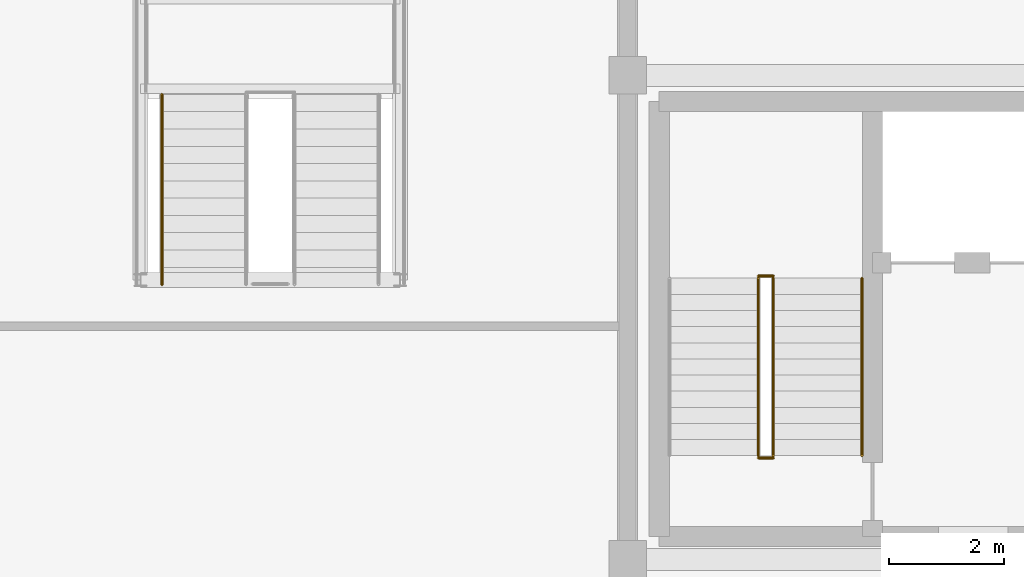
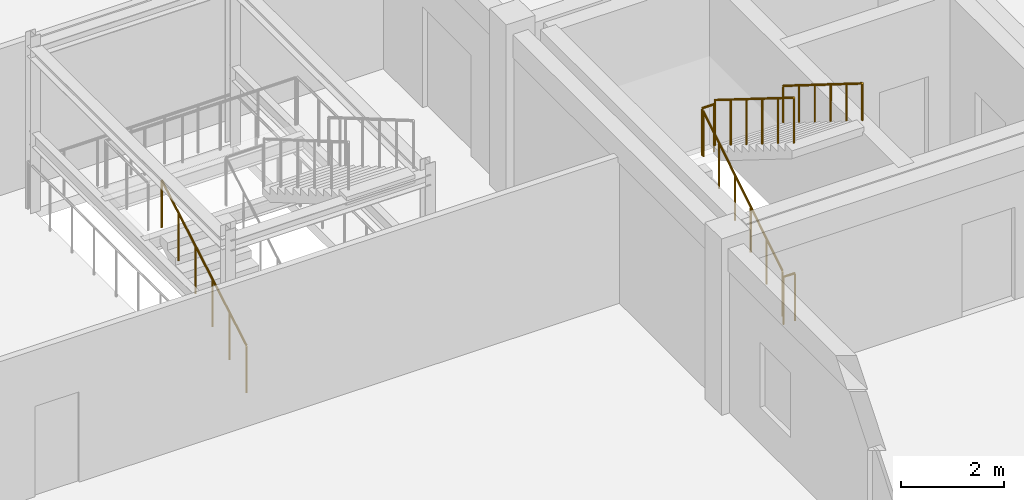
# One storey, part 81 of 90: 6 railings.
"""IFC4 building model written with IfcOpenShell, lengths in metres."""

from ifc_helpers import new_model, si_unit, direction, frame, origin, origin_2d, place, context, subcontext, project, spatial, circle, extrude, material, type_object, element, save


model = new_model("IFC4")

# Units and contexts
model_context = context("Model", 3, precision=1e-05, world=origin(), true_north=direction((0.0, 1.0)))
body_context = subcontext(model_context, "Body", "Model", "MODEL_VIEW")
ifc_project = project(units=[si_unit("LENGTHUNIT", "METRE"), si_unit("AREAUNIT", "SQUARE_METRE"), si_unit("VOLUMEUNIT", "CUBIC_METRE"), si_unit("PLANEANGLEUNIT", "RADIAN"), si_unit("MASSUNIT", "GRAM", prefix="KILO")], contexts=[model_context])

# Site, building, storey
site_placement = place(None, origin())
site = spatial("IfcSite", under=ifc_project, at=site_placement, CompositionType="ELEMENT")
building_placement = place(site_placement, origin())
building = spatial("IfcBuilding", under=site, at=building_placement, Name="Trelvath General Hospital", CompositionType="ELEMENT")
storey_placement = place(building_placement, frame((0.0, 0.0, 20.39990234375)))
storey = spatial("IfcBuildingStorey", under=building, at=storey_placement, Name="L05", CompositionType="ELEMENT", Elevation=20.39990234375)

# Railings
ifc_material_1 = material(Name="Architectural painted steel", Category="steel")
railing_type_1 = type_object("IfcRailingType", Name="Guardrail Terrace1150", PredefinedType="GUARDRAIL", material=ifc_material_1)
railing_1_placement = place(storey_placement, frame((77.8701171875, 52.159912109375, 0.0)))
element("IfcRailing", 1, at=railing_1_placement, inside=storey, type_object=railing_type_1, Name="Stair Well Edge Guard C6 L05 222", PredefinedType="GUARDRAIL", context=body_context, shape_type="SweptSolid", body=[
    extrude(circle(Radius=0.02392578125, at=origin_2d()), frame((0.0, 0.0, 1.1259765625), z_axis=(1.0, 0.0, 0.0), x_axis=(0.0, 1.0, 0.0)), (0.0, 0.0, 1.0), 0.259765625),
    extrude(circle(Radius=0.02099609375, at=origin_2d()), origin(), (0.0, 0.0, 1.0), 1.099853515625),
    extrude(circle(Radius=0.02099609375, at=origin_2d()), frame((0.259765625, 0.0, 0.0)), (0.0, 0.0, 1.0), 1.099853515625),
])
railing_2_placement = place(storey_placement, frame((78.1298828125, 55.280029296875, 2.275146484375)))
element("IfcRailing", 2, at=railing_2_placement, inside=storey, type_object=railing_type_1, Name="Stair Rail ST6 L05 F2 L 224", PredefinedType="GUARDRAIL", context=body_context, shape_type="SweptSolid", body=[
    extrude(circle(Radius=0.02392578125, at=origin_2d()), frame((0.0, 0.0, 1.076171875), z_axis=(0.0, -0.847998304005, 0.529998940003), x_axis=(1.0, 0.0, 0.0)), (0.0, 0.0, 1.0), 3.632080078125),
    extrude(circle(Radius=0.02099609375, at=origin_2d()), origin(), (0.0, 0.0, 1.0), 1.050048828125),
    extrude(circle(Radius=0.02099609375, at=origin_2d()), frame((0.0, -0.615966796875, 0.385009765625)), (0.0, 0.0, 1.0), 1.050048828125),
    extrude(circle(Radius=0.02099609375, at=origin_2d()), frame((0.0, -1.23193359375, 0.77001953125)), (0.0, 0.0, 1.0), 1.050048828125),
    extrude(circle(Radius=0.02099609375, at=origin_2d()), frame((0.0, -1.84814453125, 1.155029296875)), (0.0, 0.0, 1.0), 1.050048828125),
    extrude(circle(Radius=0.02099609375, at=origin_2d()), frame((0.0, -2.464111328125, 1.5400390625)), (0.0, 0.0, 1.0), 1.050048828125),
    extrude(circle(Radius=0.02099609375, at=origin_2d()), frame((0.0, -3.080078125, 1.925048828125)), (0.0, 0.0, 1.0), 1.050048828125),
])
railing_3_placement = place(storey_placement, frame((77.8701171875, 52.199951171875, 0.175048828125)))
element("IfcRailing", 3, at=railing_3_placement, inside=storey, type_object=railing_type_1, Name="Stair Rail ST6 L05 F1 R 225", PredefinedType="GUARDRAIL", context=body_context, shape_type="SweptSolid", body=[
    extrude(circle(Radius=0.02392578125, at=origin_2d()), frame((0.0, 0.0, 1.076171875), z_axis=(0.0, 0.847998304005, 0.529998940003), x_axis=(-1.0, 0.0, 0.0)), (0.0, 0.0, 1.0), 3.632080078125),
    extrude(circle(Radius=0.02099609375, at=origin_2d()), origin(), (0.0, 0.0, 1.0), 1.050048828125),
    extrude(circle(Radius=0.02099609375, at=origin_2d()), frame((0.0, 0.615966796875, 0.385009765625)), (0.0, 0.0, 1.0), 1.050048828125),
    extrude(circle(Radius=0.02099609375, at=origin_2d()), frame((0.0, 1.23193359375, 0.77001953125)), (0.0, 0.0, 1.0), 1.050048828125),
    extrude(circle(Radius=0.02099609375, at=origin_2d()), frame((0.0, 1.84814453125, 1.155029296875)), (0.0, 0.0, 1.0), 1.050048828125),
    extrude(circle(Radius=0.02099609375, at=origin_2d()), frame((0.0, 2.464111328125, 1.5400390625)), (0.0, 0.0, 1.0), 1.050048828125),
    extrude(circle(Radius=0.02099609375, at=origin_2d()), frame((0.0, 3.080078125, 1.925048828125)), (0.0, 0.0, 1.0), 1.050048828125),
])
railing_4_placement = place(storey_placement, frame((77.8701171875, 55.320068359375, 2.10009765625)))
element("IfcRailing", 4, at=railing_4_placement, inside=storey, type_object=railing_type_1, Name="Half-Landing Well Guard ST6 L05 227", PredefinedType="GUARDRAIL", context=body_context, shape_type="SweptSolid", body=[
    extrude(circle(Radius=0.02392578125, at=origin_2d()), frame((0.0, 0.0, 1.1259765625), z_axis=(1.0, 0.0, 0.0), x_axis=(0.0, 1.0, 0.0)), (0.0, 0.0, 1.0), 0.259765625),
    extrude(circle(Radius=0.02099609375, at=origin_2d()), origin(), (0.0, 0.0, 1.0), 1.099853515625),
    extrude(circle(Radius=0.02099609375, at=origin_2d()), frame((0.259765625, 0.0, 0.0)), (0.0, 0.0, 1.0), 1.099853515625),
])
railing_5_placement = place(storey_placement, frame((67.52001953125, 55.169921875, 0.175048828125)))
element("IfcRailing", 5, at=railing_5_placement, inside=storey, type_object=railing_type_1, Name="Cube Stair Flight Guard ST9 L05 339", PredefinedType="GUARDRAIL", context=body_context, shape_type="SweptSolid", body=[
    extrude(circle(Radius=0.02392578125, at=origin_2d()), frame((0.0, 0.0, 1.1259765625), z_axis=(0.0, 0.863776583165, 0.503874998761), x_axis=(-1.0, 0.0, 0.0)), (0.0, 0.0, 1.0), 3.820556640625),
    extrude(circle(Radius=0.02099609375, at=origin_2d()), origin(), (0.0, 0.0, 1.0), 1.099853515625),
    extrude(circle(Radius=0.02099609375, at=origin_2d()), frame((0.0, 0.659912109375, 0.385009765625)), (0.0, 0.0, 1.0), 1.099853515625),
    extrude(circle(Radius=0.02099609375, at=origin_2d()), frame((0.0, 1.320068359375, 0.77001953125)), (0.0, 0.0, 1.0), 1.099853515625),
    extrude(circle(Radius=0.02099609375, at=origin_2d()), frame((0.0, 1.97998046875, 1.155029296875)), (0.0, 0.0, 1.0), 1.099853515625),
    extrude(circle(Radius=0.02099609375, at=origin_2d()), frame((0.0, 2.64013671875, 1.5400390625)), (0.0, 0.0, 1.0), 1.099853515625),
    extrude(circle(Radius=0.02099609375, at=origin_2d()), frame((0.0, 3.300048828125, 1.925048828125)), (0.0, 0.0, 1.0), 1.099853515625),
])
ifc_material_2 = material(Name="Brushed stainless steel", Category="steel")
railing_type_2 = type_object("IfcRailingType", Name="Handrail Stair900", PredefinedType="HANDRAIL", material=ifc_material_2)
railing_6_placement = place(storey_placement, frame((79.669921875, 55.280029296875, 2.275146484375)))
element("IfcRailing", 6, at=railing_6_placement, inside=storey, type_object=railing_type_2, Name="Stair Rail ST6 L05 F2 R 226", PredefinedType="HANDRAIL", context=body_context, shape_type="SweptSolid", body=[
    extrude(circle(Radius=0.02392578125, at=origin_2d()), frame((0.0, 0.0, 0.8759765625), z_axis=(0.0, -0.847998304005, 0.529998940003), x_axis=(1.0, 0.0, 0.0)), (0.0, 0.0, 1.0), 3.632080078125),
    extrude(circle(Radius=0.02099609375, at=origin_2d()), origin(), (0.0, 0.0, 1.0), 0.849853515625),
    extrude(circle(Radius=0.02099609375, at=origin_2d()), frame((0.0, -0.615966796875, 0.385009765625)), (0.0, 0.0, 1.0), 0.849853515625),
    extrude(circle(Radius=0.02099609375, at=origin_2d()), frame((0.0, -1.23193359375, 0.77001953125)), (0.0, 0.0, 1.0), 0.849853515625),
    extrude(circle(Radius=0.02099609375, at=origin_2d()), frame((0.0, -1.84814453125, 1.155029296875)), (0.0, 0.0, 1.0), 0.849853515625),
    extrude(circle(Radius=0.02099609375, at=origin_2d()), frame((0.0, -2.464111328125, 1.5400390625)), (0.0, 0.0, 1.0), 0.849853515625),
    extrude(circle(Radius=0.02099609375, at=origin_2d()), frame((0.0, -3.080078125, 1.925048828125)), (0.0, 0.0, 1.0), 0.849853515625),
])

save(model, "model.ifc")
